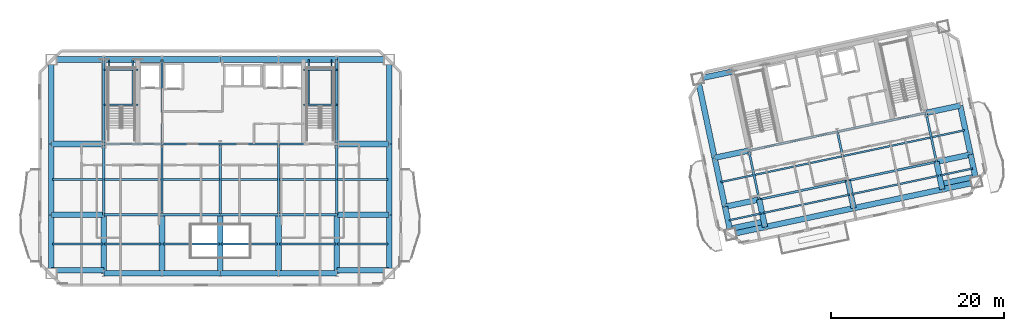
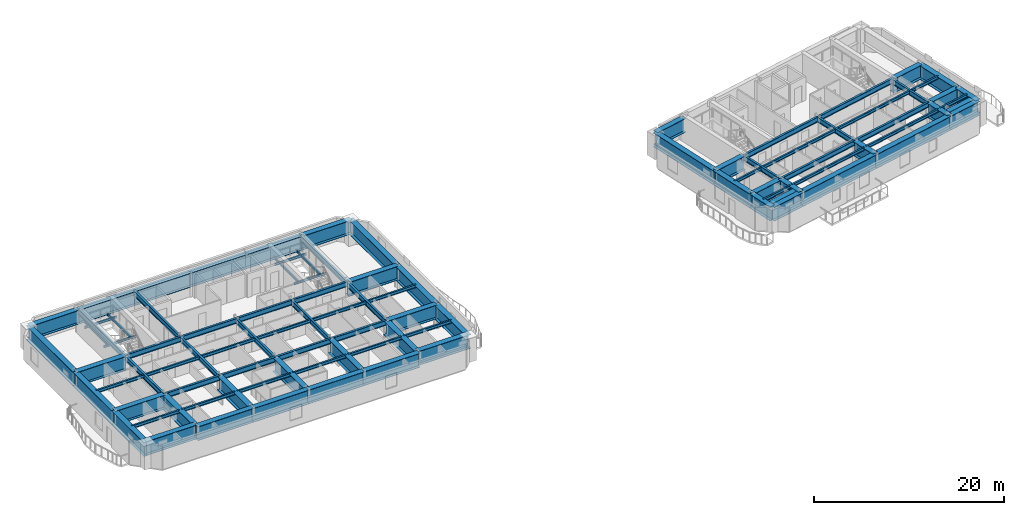
# One storey, part 3 of 16: 97 beams.
"""IFC4 building model written with IfcOpenShell, lengths in metres."""

from ifc_helpers import new_model, si_unit, direction, frame, origin, origin_2d, place, context, subcontext, project, spatial, i_section, extrude, material, material_profile, profile_set, type_object, element, save


model = new_model("IFC4")

# Units and contexts
model_context = context("Model", 3, precision=1e-05, world=origin(), true_north=direction((0.0, 1.0)))
body_context = subcontext(model_context, "Body", "Model", "MODEL_VIEW")
ifc_project = project(units=[si_unit("LENGTHUNIT", "METRE"), si_unit("AREAUNIT", "SQUARE_METRE"), si_unit("VOLUMEUNIT", "CUBIC_METRE"), si_unit("PLANEANGLEUNIT", "RADIAN"), si_unit("MASSUNIT", "GRAM", prefix="KILO")], contexts=[model_context])

# Site, building, storey
site_placement = place(None, origin())
site = spatial("IfcSite", under=ifc_project, at=site_placement, CompositionType="ELEMENT")
building_placement = place(site_placement, origin())
building = spatial("IfcBuilding", under=site, at=building_placement, Name="Haevon Station Towers", CompositionType="ELEMENT")
storey_placement = place(building_placement, frame((0.0, 0.0, 172.5)))
storey = spatial("IfcBuildingStorey", under=building, at=storey_placement, Name="L47", CompositionType="ELEMENT", Elevation=172.5)

# Beams
ifc_material_1 = material(Name="Steel S355", Category="steel")
ifc_material_profile_1 = material_profile(ifc_material_1, i_section(OverallWidth=0.25, OverallDepth=0.64990234375, WebThickness=0.012939453125, FlangeThickness=0.02197265625, at=origin_2d()), Name="H-650x250x13x22")
ifc_profile_set_1 = profile_set([ifc_material_profile_1], Name="Steel S355")
beam_type_1 = type_object("IfcBeamType", Name="BM-G650", PredefinedType="BEAM", material=ifc_profile_set_1)
for number, where, z_axis, x_axis, name in (
    (1, (24.0, 30.0, 2.72509765625), (1.0, 0.0, 0.0), (0.0, 1.0, 0.0), "BM-T1U-L47-02-02"),
    (2, (30.75, 30.0, 2.72509765625), (1.0, 0.0, 0.0), (0.0, 1.0, 0.0), "BM-T1U-L47-02-03"),
    (3, (37.5, 30.0, 2.72509765625), (1.0, 0.0, 0.0), (0.0, 1.0, 0.0), "BM-T1U-L47-02-04"),
    (4, (44.25, 30.0, 2.72509765625), (1.0, 0.0, 0.0), (0.0, 1.0, 0.0), "BM-T1U-L47-02-05"),
    (5, (24.0, 38.199951171875, 2.72509765625), (1.0, 0.0, 0.0), (0.0, 1.0, 0.0), "BM-T1U-L47-03-02"),
    (6, (30.75, 38.199951171875, 2.72509765625), (1.0, 0.0, 0.0), (0.0, 1.0, 0.0), "BM-T1U-L47-03-03"),
    (7, (37.5, 38.199951171875, 2.72509765625), (1.0, 0.0, 0.0), (0.0, 1.0, 0.0), "BM-T1U-L47-03-04"),
    (8, (44.25, 38.199951171875, 2.72509765625), (1.0, 0.0, 0.0), (0.0, 1.0, 0.0), "BM-T1U-L47-03-05"),
):
    element("IfcBeam", number, at=place(storey_placement, frame(where, z_axis=z_axis, x_axis=x_axis)), inside=storey, type_object=beam_type_1, Name=name, PredefinedType="BEAM", context=body_context, shape_type="SweptSolid", body=[
        extrude(i_section(OverallWidth=0.25, OverallDepth=0.64990234375, WebThickness=0.012939453125, FlangeThickness=0.02197265625, at=origin_2d()), origin(), (0.0, 0.0, 1.0), 6.75),
    ])
beam_1_placement = place(storey_placement, frame((24.0, 30.0, 2.72509765625), z_axis=(0.0, 1.0, 0.0), x_axis=(-1.0, 0.0, 0.0)))
element("IfcBeam", 9, at=beam_1_placement, inside=storey, type_object=beam_type_1, Name="BM-T1V-L47-02-02", PredefinedType="BEAM", context=body_context, shape_type="SweptSolid", body=[
    extrude(i_section(OverallWidth=0.25, OverallDepth=0.64990234375, WebThickness=0.012939453125, FlangeThickness=0.02197265625, at=origin_2d()), origin(), (0.0, 0.0, 1.0), 8.199951171875),
])
beam_2_placement = place(storey_placement, frame((24.0, 38.199951171875, 2.72509765625), z_axis=(0.0, 1.0, 0.0), x_axis=(-1.0, 0.0, 0.0)))
element("IfcBeam", 10, at=beam_2_placement, inside=storey, type_object=beam_type_1, Name="BM-T1V-L47-02-03", PredefinedType="BEAM", context=body_context, shape_type="SweptSolid", body=[
    extrude(i_section(OverallWidth=0.25, OverallDepth=0.64990234375, WebThickness=0.012939453125, FlangeThickness=0.02197265625, at=origin_2d()), origin(), (0.0, 0.0, 1.0), 9.800048828125),
])
beam_3_placement = place(storey_placement, frame((30.75, 30.0, 2.72509765625), z_axis=(0.0, 1.0, 0.0), x_axis=(-1.0, 0.0, 0.0)))
element("IfcBeam", 11, at=beam_3_placement, inside=storey, type_object=beam_type_1, Name="BM-T1V-L47-03-02", PredefinedType="BEAM", context=body_context, shape_type="SweptSolid", body=[
    extrude(i_section(OverallWidth=0.25, OverallDepth=0.64990234375, WebThickness=0.012939453125, FlangeThickness=0.02197265625, at=origin_2d()), origin(), (0.0, 0.0, 1.0), 8.199951171875),
])
beam_4_placement = place(storey_placement, frame((30.75, 38.199951171875, 2.72509765625), z_axis=(0.0, 1.0, 0.0), x_axis=(-1.0, 0.0, 0.0)))
element("IfcBeam", 12, at=beam_4_placement, inside=storey, type_object=beam_type_1, Name="BM-T1V-L47-03-03", PredefinedType="BEAM", context=body_context, shape_type="SweptSolid", body=[
    extrude(i_section(OverallWidth=0.25, OverallDepth=0.64990234375, WebThickness=0.012939453125, FlangeThickness=0.02197265625, at=origin_2d()), origin(), (0.0, 0.0, 1.0), 9.800048828125),
])
for number, where, z_axis, x_axis, name in (
    (13, (37.5, 30.0, 2.72509765625), (0.0, 1.0, 0.0), (-1.0, 0.0, 0.0), "BM-T1V-L47-04-02"),
    (14, (44.25, 30.0, 2.72509765625), (0.0, 1.0, 0.0), (-1.0, 0.0, 0.0), "BM-T1V-L47-05-02"),
    (15, (51.0, 30.0, 2.72509765625), (0.0, 1.0, 0.0), (-1.0, 0.0, 0.0), "BM-T1V-L47-06-02"),
):
    element("IfcBeam", number, at=place(storey_placement, frame(where, z_axis=z_axis, x_axis=x_axis)), inside=storey, type_object=beam_type_1, Name=name, PredefinedType="BEAM", context=body_context, shape_type="SweptSolid", body=[
        extrude(i_section(OverallWidth=0.25, OverallDepth=0.64990234375, WebThickness=0.012939453125, FlangeThickness=0.02197265625, at=origin_2d()), origin(), (0.0, 0.0, 1.0), 8.199951171875),
    ])
beam_5_placement = place(storey_placement, frame((51.0, 38.199951171875, 2.72509765625), z_axis=(0.0, 1.0, 0.0), x_axis=(-1.0, 0.0, 0.0)))
element("IfcBeam", 16, at=beam_5_placement, inside=storey, type_object=beam_type_1, Name="BM-T1V-L47-06-03", PredefinedType="BEAM", context=body_context, shape_type="SweptSolid", body=[
    extrude(i_section(OverallWidth=0.25, OverallDepth=0.64990234375, WebThickness=0.012939453125, FlangeThickness=0.02197265625, at=origin_2d()), origin(), (0.0, 0.0, 1.0), 9.800048828125),
])
for number, where, z_axis, x_axis, name in (
    (17, (99.958251953125, 31.76904296875, 2.72509765625), (0.978146794194, 0.207915485254, 0.0), (-0.207915485254, 0.978146794194, 0.0), "BM-T2U-L47-02-02"),
    (18, (110.228759765625, 33.9521484375, 2.72509765625), (0.978146794194, 0.207915485254, 0.0), (-0.207915485254, 0.978146794194, 0.0), "BM-T2U-L47-02-03"),
    (19, (98.75244140625, 37.4423828125, 2.72509765625), (0.978146794194, 0.207915485254, 0.0), (-0.207915485254, 0.978146794194, 0.0), "BM-T2U-L47-03-02"),
    (20, (109.02294921875, 39.62548828125, 2.72509765625), (0.978146794194, 0.207915485254, 0.0), (-0.207915485254, 0.978146794194, 0.0), "BM-T2U-L47-03-03"),
):
    element("IfcBeam", number, at=place(storey_placement, frame(where, z_axis=z_axis, x_axis=x_axis)), inside=storey, type_object=beam_type_1, Name=name, PredefinedType="BEAM", context=body_context, shape_type="SweptSolid", body=[
        extrude(i_section(OverallWidth=0.25, OverallDepth=0.64990234375, WebThickness=0.012939453125, FlangeThickness=0.02197265625, at=origin_2d()), origin(), (0.0, 0.0, 1.0), 10.5),
    ])
for number, where, z_axis, x_axis, name in (
    (21, (99.958251953125, 31.76904296875, 2.72509765625), (-0.207896009217, 0.97815093383, 0.0), (-0.97815093383, -0.207896009217, 0.0), "BM-T2V-L47-02-02"),
    (22, (110.228759765625, 33.9521484375, 2.72509765625), (-0.207896009217, 0.97815093383, 0.0), (-0.97815093383, -0.207896009217, 0.0), "BM-T2V-L47-03-02"),
    (23, (120.499267578125, 36.13525390625, 2.72509765625), (-0.207896009217, 0.97815093383, 0.0), (-0.97815093383, -0.207896009217, 0.0), "BM-T2V-L47-04-02"),
):
    element("IfcBeam", number, at=place(storey_placement, frame(where, z_axis=z_axis, x_axis=x_axis)), inside=storey, type_object=beam_type_1, Name=name, PredefinedType="BEAM", context=body_context, shape_type="SweptSolid", body=[
        extrude(i_section(OverallWidth=0.25, OverallDepth=0.64990234375, WebThickness=0.012939453125, FlangeThickness=0.02197265625, at=origin_2d()), origin(), (0.0, 0.0, 1.0), 5.800048828125),
    ])
ifc_material_profile_2 = material_profile(ifc_material_1, i_section(OverallWidth=0.199951171875, OverallDepth=0.39990234375, WebThickness=0.008056640625, FlangeThickness=0.012939453125, at=origin_2d()), Name="H-400x200x8x13")
ifc_profile_set_2 = profile_set([ifc_material_profile_2], Name="Steel S355")
beam_type_2 = type_object("IfcBeamType", Name="BM-J400", PredefinedType="JOIST", material=ifc_profile_set_2)
beam_6_placement = place(storey_placement, frame((18.034912109375, 26.60009765625, 2.85009765625), z_axis=(1.0, 0.0, 0.0), x_axis=(0.0, 1.0, 0.0)))
element("IfcBeam", 24, at=beam_6_placement, inside=storey, type_object=beam_type_2, Name="BM-T1J-L47-01-01", PredefinedType="JOIST", context=body_context, shape_type="SweptSolid", body=[
    extrude(i_section(OverallWidth=0.199951171875, OverallDepth=0.39990234375, WebThickness=0.008056640625, FlangeThickness=0.012939453125, at=origin_2d()), origin(), (0.0, 0.0, 1.0), 5.85498046875),
])
for number, where, z_axis, x_axis, name in (
    (25, (24.110107421875, 26.60009765625, 2.85009765625), (1.0, 0.0, 0.0), (0.0, 1.0, 0.0), "BM-T1J-L47-01-02"),
    (26, (30.860107421875, 26.60009765625, 2.85009765625), (1.0, 0.0, 0.0), (0.0, 1.0, 0.0), "BM-T1J-L47-01-03"),
    (27, (37.610107421875, 26.60009765625, 2.85009765625), (1.0, 0.0, 0.0), (0.0, 1.0, 0.0), "BM-T1J-L47-01-04"),
    (28, (44.360107421875, 26.60009765625, 2.85009765625), (1.0, 0.0, 0.0), (0.0, 1.0, 0.0), "BM-T1J-L47-01-05"),
):
    element("IfcBeam", number, at=place(storey_placement, frame(where, z_axis=z_axis, x_axis=x_axis)), inside=storey, type_object=beam_type_2, Name=name, PredefinedType="JOIST", context=body_context, shape_type="SweptSolid", body=[
        extrude(i_section(OverallWidth=0.199951171875, OverallDepth=0.39990234375, WebThickness=0.008056640625, FlangeThickness=0.012939453125, at=origin_2d()), origin(), (0.0, 0.0, 1.0), 6.52978515625),
    ])
for number, where, z_axis, x_axis, name in (
    (29, (51.110107421875, 26.60009765625, 2.85009765625), (1.0, 0.0, 0.0), (0.0, 1.0, 0.0), "BM-T1J-L47-01-06"),
    (30, (18.034912109375, 34.10009765625, 2.85009765625), (1.0, 0.0, 0.0), (0.0, 1.0, 0.0), "BM-T1J-L47-02-01"),
):
    element("IfcBeam", number, at=place(storey_placement, frame(where, z_axis=z_axis, x_axis=x_axis)), inside=storey, type_object=beam_type_2, Name=name, PredefinedType="JOIST", context=body_context, shape_type="SweptSolid", body=[
        extrude(i_section(OverallWidth=0.199951171875, OverallDepth=0.39990234375, WebThickness=0.008056640625, FlangeThickness=0.012939453125, at=origin_2d()), origin(), (0.0, 0.0, 1.0), 5.85498046875),
    ])
for number, where, z_axis, x_axis, name in (
    (31, (24.110107421875, 34.10009765625, 2.85009765625), (1.0, 0.0, 0.0), (0.0, 1.0, 0.0), "BM-T1J-L47-02-02"),
    (32, (30.860107421875, 34.10009765625, 2.85009765625), (1.0, 0.0, 0.0), (0.0, 1.0, 0.0), "BM-T1J-L47-02-03"),
    (33, (37.610107421875, 34.10009765625, 2.85009765625), (1.0, 0.0, 0.0), (0.0, 1.0, 0.0), "BM-T1J-L47-02-04"),
    (34, (44.360107421875, 34.10009765625, 2.85009765625), (1.0, 0.0, 0.0), (0.0, 1.0, 0.0), "BM-T1J-L47-02-05"),
):
    element("IfcBeam", number, at=place(storey_placement, frame(where, z_axis=z_axis, x_axis=x_axis)), inside=storey, type_object=beam_type_2, Name=name, PredefinedType="JOIST", context=body_context, shape_type="SweptSolid", body=[
        extrude(i_section(OverallWidth=0.199951171875, OverallDepth=0.39990234375, WebThickness=0.008056640625, FlangeThickness=0.012939453125, at=origin_2d()), origin(), (0.0, 0.0, 1.0), 6.52978515625),
    ])
beam_7_placement = place(storey_placement, frame((51.110107421875, 34.10009765625, 2.85009765625), z_axis=(1.0, 0.0, 0.0), x_axis=(0.0, 1.0, 0.0)))
element("IfcBeam", 35, at=beam_7_placement, inside=storey, type_object=beam_type_2, Name="BM-T1J-L47-02-06", PredefinedType="JOIST", context=body_context, shape_type="SweptSolid", body=[
    extrude(i_section(OverallWidth=0.199951171875, OverallDepth=0.39990234375, WebThickness=0.008056640625, FlangeThickness=0.012939453125, at=origin_2d()), origin(), (0.0, 0.0, 1.0), 5.85498046875),
])
beam_8_placement = place(storey_placement, frame((96.443115234375, 29.355712890625, 2.85009765625), z_axis=(0.978156420772, 0.207870191472, 0.0), x_axis=(-0.207870191472, 0.978156420772, 0.0)))
element("IfcBeam", 36, at=beam_8_placement, inside=storey, type_object=beam_type_2, Name="BM-T2J-L47-01-01", PredefinedType="JOIST", context=body_context, shape_type="SweptSolid", body=[
    extrude(i_section(OverallWidth=0.199951171875, OverallDepth=0.39990234375, WebThickness=0.008056640625, FlangeThickness=0.012939453125, at=origin_2d()), origin(), (0.0, 0.0, 1.0), 3.830078125),
])
for number, where, z_axis, x_axis, name in (
    (37, (100.40478515625, 30.19775390625, 2.85009765625), (0.978150339653, 0.207898804801, 0.0), (-0.207898804801, 0.978150339653, 0.0), "BM-T2J-L47-01-02"),
    (38, (110.67529296875, 32.380615234375, 2.85009765625), (0.978145509903, 0.207921527161, 0.0), (-0.207921527161, 0.978145509903, 0.0), "BM-T2J-L47-01-03"),
):
    element("IfcBeam", number, at=place(storey_placement, frame(where, z_axis=z_axis, x_axis=x_axis)), inside=storey, type_object=beam_type_2, Name=name, PredefinedType="JOIST", context=body_context, shape_type="SweptSolid", body=[
        extrude(i_section(OverallWidth=0.199951171875, OverallDepth=0.39990234375, WebThickness=0.008056640625, FlangeThickness=0.012939453125, at=origin_2d()), origin(), (0.0, 0.0, 1.0), 10.280029296875),
    ])
for number, where, z_axis, x_axis, name in (
    (39, (120.94580078125, 34.563720703125, 2.85009765625), (0.97814345794, 0.207931180176, 0.0), (-0.207931180176, 0.97814345794, 0.0), "BM-T2J-L47-01-04"),
    (40, (95.50146484375, 33.78662109375, 2.85009765625), (0.97814345794, 0.207931180176, 0.0), (-0.207931180176, 0.97814345794, 0.0), "BM-T2J-L47-02-01"),
):
    element("IfcBeam", number, at=place(storey_placement, frame(where, z_axis=z_axis, x_axis=x_axis)), inside=storey, type_object=beam_type_2, Name=name, PredefinedType="JOIST", context=body_context, shape_type="SweptSolid", body=[
        extrude(i_section(OverallWidth=0.199951171875, OverallDepth=0.39990234375, WebThickness=0.008056640625, FlangeThickness=0.012939453125, at=origin_2d()), origin(), (0.0, 0.0, 1.0), 3.830078125),
    ])
for number, where, z_axis, x_axis, name in (
    (41, (99.462890625, 34.628662109375, 2.85009765625), (0.978150339653, 0.207898804801, 0.0), (-0.207898804801, 0.978150339653, 0.0), "BM-T2J-L47-02-02"),
    (42, (109.7333984375, 36.811767578125, 2.85009765625), (0.978150339653, 0.207898804801, 0.0), (-0.207898804801, 0.978150339653, 0.0), "BM-T2J-L47-02-03"),
):
    element("IfcBeam", number, at=place(storey_placement, frame(where, z_axis=z_axis, x_axis=x_axis)), inside=storey, type_object=beam_type_2, Name=name, PredefinedType="JOIST", context=body_context, shape_type="SweptSolid", body=[
        extrude(i_section(OverallWidth=0.199951171875, OverallDepth=0.39990234375, WebThickness=0.008056640625, FlangeThickness=0.012939453125, at=origin_2d()), origin(), (0.0, 0.0, 1.0), 10.280029296875),
    ])
beam_9_placement = place(storey_placement, frame((120.00390625, 38.994873046875, 2.85009765625), z_axis=(0.978156420772, 0.207870191472, 0.0), x_axis=(-0.207870191472, 0.978156420772, 0.0)))
element("IfcBeam", 43, at=beam_9_placement, inside=storey, type_object=beam_type_2, Name="BM-T2J-L47-02-04", PredefinedType="JOIST", context=body_context, shape_type="SweptSolid", body=[
    extrude(i_section(OverallWidth=0.199951171875, OverallDepth=0.39990234375, WebThickness=0.008056640625, FlangeThickness=0.012939453125, at=origin_2d()), origin(), (0.0, 0.0, 1.0), 3.830078125),
])
ifc_material_profile_3 = material_profile(ifc_material_1, i_section(OverallWidth=0.14990234375, OverallDepth=0.300048828125, WebThickness=0.006591796875, FlangeThickness=0.009033203125, at=origin_2d()), Name="H-300x150x6.5x9")
ifc_profile_set_3 = profile_set([ifc_material_profile_3], Name="Steel S355")
beam_type_3 = type_object("IfcBeamType", Name="BM-LIN300", PredefinedType="LINTEL", material=ifc_profile_set_3)
for number, where, z_axis, x_axis, name in (
    (44, (24.0, 42.743896484375, 1.300048828125), (1.0, 0.0, 0.0), (0.0, 1.0, 0.0), "BM-ST1L-L47-1-S"),
    (45, (24.0, 46.820068359375, 1.300048828125), (1.0, 0.0, 0.0), (0.0, 1.0, 0.0), "BM-ST1L-L47-1-N"),
):
    element("IfcBeam", number, at=place(storey_placement, frame(where, z_axis=z_axis, x_axis=x_axis)), inside=storey, type_object=beam_type_3, Name=name, PredefinedType="LINTEL", context=body_context, shape_type="SweptSolid", body=[
        extrude(i_section(OverallWidth=0.14990234375, OverallDepth=0.300048828125, WebThickness=0.006591796875, FlangeThickness=0.009033203125, at=origin_2d()), origin(), (0.0, 0.0, 1.0), 3.949951171875),
    ])
for number, where, z_axis, x_axis, name in (
    (46, (24.60009765625, 42.743896484375, 1.300048828125), (0.0, 1.0, 0.0), (-1.0, 0.0, 0.0), "BM-ST1L-L47-1-W"),
    (47, (27.35009765625, 42.743896484375, 1.300048828125), (0.0, 1.0, 0.0), (-1.0, 0.0, 0.0), "BM-ST1L-L47-1-E"),
):
    element("IfcBeam", number, at=place(storey_placement, frame(where, z_axis=z_axis, x_axis=x_axis)), inside=storey, type_object=beam_type_3, Name=name, PredefinedType="LINTEL", context=body_context, shape_type="SweptSolid", body=[
        extrude(i_section(OverallWidth=0.14990234375, OverallDepth=0.300048828125, WebThickness=0.006591796875, FlangeThickness=0.009033203125, at=origin_2d()), origin(), (0.0, 0.0, 1.0), 5.256103515625),
    ])
for number, where, z_axis, x_axis, name in (
    (48, (47.14990234375, 42.743896484375, 1.300048828125), (1.0, 0.0, 0.0), (0.0, 1.0, 0.0), "BM-ST2L-L47-1-S"),
    (49, (47.14990234375, 46.820068359375, 1.300048828125), (1.0, 0.0, 0.0), (0.0, 1.0, 0.0), "BM-ST2L-L47-1-N"),
):
    element("IfcBeam", number, at=place(storey_placement, frame(where, z_axis=z_axis, x_axis=x_axis)), inside=storey, type_object=beam_type_3, Name=name, PredefinedType="LINTEL", context=body_context, shape_type="SweptSolid", body=[
        extrude(i_section(OverallWidth=0.14990234375, OverallDepth=0.300048828125, WebThickness=0.006591796875, FlangeThickness=0.009033203125, at=origin_2d()), origin(), (0.0, 0.0, 1.0), 3.85009765625),
    ])
for number, where, z_axis, x_axis, name in (
    (50, (47.75, 42.743896484375, 1.300048828125), (0.0, 1.0, 0.0), (-1.0, 0.0, 0.0), "BM-ST2L-L47-1-W"),
    (51, (50.39990234375, 42.743896484375, 1.300048828125), (0.0, 1.0, 0.0), (-1.0, 0.0, 0.0), "BM-ST2L-L47-1-E"),
):
    element("IfcBeam", number, at=place(storey_placement, frame(where, z_axis=z_axis, x_axis=x_axis)), inside=storey, type_object=beam_type_3, Name=name, PredefinedType="LINTEL", context=body_context, shape_type="SweptSolid", body=[
        extrude(i_section(OverallWidth=0.14990234375, OverallDepth=0.300048828125, WebThickness=0.006591796875, FlangeThickness=0.009033203125, at=origin_2d()), origin(), (0.0, 0.0, 1.0), 5.256103515625),
    ])
ifc_material_2 = material(Name="Steel S460", Category="steel")
ifc_material_profile_4 = material_profile(ifc_material_2, i_section(OverallWidth=0.64990234375, OverallDepth=1.800048828125, WebThickness=0.02490234375, FlangeThickness=0.0400390625, at=origin_2d()), Name="H-1800x650x25x40")
ifc_profile_set_4 = profile_set([ifc_material_profile_4], Name="Steel S460")
beam_type_4 = type_object("IfcBeamType", Name="BM-TG1800", PredefinedType="BEAM", material=ifc_profile_set_4)
for number, where, z_axis, x_axis, name in (
    (52, (24.0, 23.199951171875, 2.14990234375), (1.0, 0.0, 0.0), (0.0, 1.0, 0.0), "BM-T1U-L47-01-02"),
    (53, (30.75, 23.199951171875, 2.14990234375), (1.0, 0.0, 0.0), (0.0, 1.0, 0.0), "BM-T1U-L47-01-03"),
    (54, (37.5, 23.199951171875, 2.14990234375), (1.0, 0.0, 0.0), (0.0, 1.0, 0.0), "BM-T1U-L47-01-04"),
    (55, (44.25, 23.199951171875, 2.14990234375), (1.0, 0.0, 0.0), (0.0, 1.0, 0.0), "BM-T1U-L47-01-05"),
):
    element("IfcBeam", number, at=place(storey_placement, frame(where, z_axis=z_axis, x_axis=x_axis)), inside=storey, type_object=beam_type_4, Name=name, PredefinedType="BEAM", context=body_context, shape_type="SweptSolid", body=[
        extrude(i_section(OverallWidth=0.64990234375, OverallDepth=1.800048828125, WebThickness=0.02490234375, FlangeThickness=0.0400390625, at=origin_2d()), origin(), (0.0, 0.0, 1.0), 6.75),
    ])
for number, where, z_axis, x_axis, name in (
    (56, (17.925048828125, 30.0, 2.14990234375), (1.0, 0.0, 0.0), (0.0, 1.0, 0.0), "BM-T1U-L47-02-01"),
    (57, (51.0, 30.0, 2.14990234375), (1.0, 0.0, 0.0), (0.0, 1.0, 0.0), "BM-T1U-L47-02-06"),
    (58, (17.925048828125, 38.199951171875, 2.14990234375), (1.0, 0.0, 0.0), (0.0, 1.0, 0.0), "BM-T1U-L47-03-01"),
    (59, (51.0, 38.199951171875, 2.14990234375), (1.0, 0.0, 0.0), (0.0, 1.0, 0.0), "BM-T1U-L47-03-06"),
    (60, (17.925048828125, 48.0, 2.14990234375), (1.0, 0.0, 0.0), (0.0, 1.0, 0.0), "BM-T1U-L47-04-01"),
):
    element("IfcBeam", number, at=place(storey_placement, frame(where, z_axis=z_axis, x_axis=x_axis)), inside=storey, type_object=beam_type_4, Name=name, PredefinedType="BEAM", context=body_context, shape_type="SweptSolid", body=[
        extrude(i_section(OverallWidth=0.64990234375, OverallDepth=1.800048828125, WebThickness=0.02490234375, FlangeThickness=0.0400390625, at=origin_2d()), origin(), (0.0, 0.0, 1.0), 6.074951171875),
    ])
for number, where, z_axis, x_axis, name in (
    (61, (24.0, 48.0, 2.14990234375), (1.0, 0.0, 0.0), (0.0, 1.0, 0.0), "BM-T1U-L47-04-02"),
    (62, (30.75, 48.0, 2.14990234375), (1.0, 0.0, 0.0), (0.0, 1.0, 0.0), "BM-T1U-L47-04-03"),
    (63, (37.5, 48.0, 2.14990234375), (1.0, 0.0, 0.0), (0.0, 1.0, 0.0), "BM-T1U-L47-04-04"),
    (64, (44.25, 48.0, 2.14990234375), (1.0, 0.0, 0.0), (0.0, 1.0, 0.0), "BM-T1U-L47-04-05"),
):
    element("IfcBeam", number, at=place(storey_placement, frame(where, z_axis=z_axis, x_axis=x_axis)), inside=storey, type_object=beam_type_4, Name=name, PredefinedType="BEAM", context=body_context, shape_type="SweptSolid", body=[
        extrude(i_section(OverallWidth=0.64990234375, OverallDepth=1.800048828125, WebThickness=0.02490234375, FlangeThickness=0.0400390625, at=origin_2d()), origin(), (0.0, 0.0, 1.0), 6.75),
    ])
beam_10_placement = place(storey_placement, frame((51.0, 48.0, 2.14990234375), z_axis=(1.0, 0.0, 0.0), x_axis=(0.0, 1.0, 0.0)))
element("IfcBeam", 65, at=beam_10_placement, inside=storey, type_object=beam_type_4, Name="BM-T1U-L47-04-06", PredefinedType="BEAM", context=body_context, shape_type="SweptSolid", body=[
    extrude(i_section(OverallWidth=0.64990234375, OverallDepth=1.800048828125, WebThickness=0.02490234375, FlangeThickness=0.0400390625, at=origin_2d()), origin(), (0.0, 0.0, 1.0), 6.074951171875),
])
beam_11_placement = place(storey_placement, frame((17.925048828125, 23.199951171875, 2.14990234375), z_axis=(0.0, 1.0, 0.0), x_axis=(-1.0, 0.0, 0.0)))
element("IfcBeam", 66, at=beam_11_placement, inside=storey, type_object=beam_type_4, Name="BM-T1V-L47-01-01", PredefinedType="BEAM", context=body_context, shape_type="SweptSolid", body=[
    extrude(i_section(OverallWidth=0.64990234375, OverallDepth=1.800048828125, WebThickness=0.02490234375, FlangeThickness=0.0400390625, at=origin_2d()), origin(), (0.0, 0.0, 1.0), 6.800048828125),
])
beam_12_placement = place(storey_placement, frame((17.925048828125, 30.0, 2.14990234375), z_axis=(0.0, 1.0, 0.0), x_axis=(-1.0, 0.0, 0.0)))
element("IfcBeam", 67, at=beam_12_placement, inside=storey, type_object=beam_type_4, Name="BM-T1V-L47-01-02", PredefinedType="BEAM", context=body_context, shape_type="SweptSolid", body=[
    extrude(i_section(OverallWidth=0.64990234375, OverallDepth=1.800048828125, WebThickness=0.02490234375, FlangeThickness=0.0400390625, at=origin_2d()), origin(), (0.0, 0.0, 1.0), 8.199951171875),
])
beam_13_placement = place(storey_placement, frame((17.925048828125, 38.199951171875, 2.14990234375), z_axis=(0.0, 1.0, 0.0), x_axis=(-1.0, 0.0, 0.0)))
element("IfcBeam", 68, at=beam_13_placement, inside=storey, type_object=beam_type_4, Name="BM-T1V-L47-01-03", PredefinedType="BEAM", context=body_context, shape_type="SweptSolid", body=[
    extrude(i_section(OverallWidth=0.64990234375, OverallDepth=1.800048828125, WebThickness=0.02490234375, FlangeThickness=0.0400390625, at=origin_2d()), origin(), (0.0, 0.0, 1.0), 9.800048828125),
])
for number, where, z_axis, x_axis, name in (
    (69, (24.0, 23.199951171875, 2.14990234375), (0.0, 1.0, 0.0), (-1.0, 0.0, 0.0), "BM-T1V-L47-02-01"),
    (70, (30.75, 23.199951171875, 2.14990234375), (0.0, 1.0, 0.0), (-1.0, 0.0, 0.0), "BM-T1V-L47-03-01"),
    (71, (37.5, 23.199951171875, 2.14990234375), (0.0, 1.0, 0.0), (-1.0, 0.0, 0.0), "BM-T1V-L47-04-01"),
    (72, (44.25, 23.199951171875, 2.14990234375), (0.0, 1.0, 0.0), (-1.0, 0.0, 0.0), "BM-T1V-L47-05-01"),
    (73, (51.0, 23.199951171875, 2.14990234375), (0.0, 1.0, 0.0), (-1.0, 0.0, 0.0), "BM-T1V-L47-06-01"),
    (74, (57.074951171875, 23.199951171875, 2.14990234375), (0.0, 1.0, 0.0), (-1.0, 0.0, 0.0), "BM-T1V-L47-07-01"),
):
    element("IfcBeam", number, at=place(storey_placement, frame(where, z_axis=z_axis, x_axis=x_axis)), inside=storey, type_object=beam_type_4, Name=name, PredefinedType="BEAM", context=body_context, shape_type="SweptSolid", body=[
        extrude(i_section(OverallWidth=0.64990234375, OverallDepth=1.800048828125, WebThickness=0.02490234375, FlangeThickness=0.0400390625, at=origin_2d()), origin(), (0.0, 0.0, 1.0), 6.800048828125),
    ])
beam_14_placement = place(storey_placement, frame((57.074951171875, 30.0, 2.14990234375), z_axis=(0.0, 1.0, 0.0), x_axis=(-1.0, 0.0, 0.0)))
element("IfcBeam", 75, at=beam_14_placement, inside=storey, type_object=beam_type_4, Name="BM-T1V-L47-07-02", PredefinedType="BEAM", context=body_context, shape_type="SweptSolid", body=[
    extrude(i_section(OverallWidth=0.64990234375, OverallDepth=1.800048828125, WebThickness=0.02490234375, FlangeThickness=0.0400390625, at=origin_2d()), origin(), (0.0, 0.0, 1.0), 8.199951171875),
])
beam_15_placement = place(storey_placement, frame((57.074951171875, 38.199951171875, 2.14990234375), z_axis=(0.0, 1.0, 0.0), x_axis=(-1.0, 0.0, 0.0)))
element("IfcBeam", 76, at=beam_15_placement, inside=storey, type_object=beam_type_4, Name="BM-T1V-L47-07-03", PredefinedType="BEAM", context=body_context, shape_type="SweptSolid", body=[
    extrude(i_section(OverallWidth=0.64990234375, OverallDepth=1.800048828125, WebThickness=0.02490234375, FlangeThickness=0.0400390625, at=origin_2d()), origin(), (0.0, 0.0, 1.0), 9.800048828125),
])
for number, where, z_axis, x_axis, name in (
    (77, (17.925048828125, 23.550048828125, 2.14990234375), (1.0, 0.0, 0.0), (0.0, 1.0, 0.0), "BM-T1CTRN-L47-1"),
    (78, (51.0, 23.550048828125, 2.14990234375), (1.0, 0.0, 0.0), (0.0, 1.0, 0.0), "BM-T1CTRN-L47-2"),
):
    element("IfcBeam", number, at=place(storey_placement, frame(where, z_axis=z_axis, x_axis=x_axis)), inside=storey, type_object=beam_type_4, Name=name, PredefinedType="BEAM", context=body_context, shape_type="SweptSolid", body=[
        extrude(i_section(OverallWidth=0.64990234375, OverallDepth=1.800048828125, WebThickness=0.02490234375, FlangeThickness=0.0400390625, at=origin_2d()), origin(), (0.0, 0.0, 1.0), 6.074951171875),
    ])
beam_16_placement = place(storey_placement, frame((96.674560546875, 27.73828125, 2.14990234375), z_axis=(0.978146899108, 0.207914991681, 0.0), x_axis=(-0.207914991681, 0.978146899108, 0.0)))
element("IfcBeam", 79, at=beam_16_placement, inside=storey, type_object=beam_type_4, Name="BM-T2U-L47-01-01", PredefinedType="BEAM", context=body_context, shape_type="SweptSolid", body=[
    extrude(i_section(OverallWidth=0.64990234375, OverallDepth=1.800048828125, WebThickness=0.02490234375, FlangeThickness=0.0400390625, at=origin_2d()), origin(), (0.0, 0.0, 1.0), 4.050048828125),
])
beam_17_placement = place(storey_placement, frame((100.635986328125, 28.580322265625, 2.14990234375), z_axis=(0.978146794194, 0.207915485254, 0.0), x_axis=(-0.207915485254, 0.978146794194, 0.0)))
element("IfcBeam", 80, at=beam_17_placement, inside=storey, type_object=beam_type_4, Name="BM-T2U-L47-01-02", PredefinedType="BEAM", context=body_context, shape_type="SweptSolid", body=[
    extrude(i_section(OverallWidth=0.64990234375, OverallDepth=1.800048828125, WebThickness=0.02490234375, FlangeThickness=0.0400390625, at=origin_2d()), origin(), (0.0, 0.0, 1.0), 10.5),
])
beam_18_placement = place(storey_placement, frame((110.906494140625, 30.763427734375, 2.14990234375), z_axis=(0.978147799298, 0.207910756646, 0.0), x_axis=(-0.207910756646, 0.978147799298, 0.0)))
element("IfcBeam", 81, at=beam_18_placement, inside=storey, type_object=beam_type_4, Name="BM-T2U-L47-01-03", PredefinedType="BEAM", context=body_context, shape_type="SweptSolid", body=[
    extrude(i_section(OverallWidth=0.64990234375, OverallDepth=1.800048828125, WebThickness=0.02490234375, FlangeThickness=0.0400390625, at=origin_2d()), origin(), (0.0, 0.0, 1.0), 10.500244140625),
])
for number, where, z_axis, x_axis, name in (
    (82, (121.17724609375, 32.946533203125, 2.14990234375), (0.978146899108, 0.207914991681, 0.0), (-0.207914991681, 0.978146899108, 0.0), "BM-T2U-L47-01-04"),
    (83, (95.996826171875, 30.927001953125, 2.14990234375), (0.978146899108, 0.207914991681, 0.0), (-0.207914991681, 0.978146899108, 0.0), "BM-T2U-L47-02-01"),
    (84, (120.499267578125, 36.13525390625, 2.14990234375), (0.978149504816, 0.207902732613, 0.0), (-0.207902732613, 0.978149504816, 0.0), "BM-T2U-L47-02-04"),
    (85, (94.790771484375, 36.600341796875, 2.14990234375), (0.978149504816, 0.207902732613, 0.0), (-0.207902732613, 0.978149504816, 0.0), "BM-T2U-L47-03-01"),
    (86, (119.29345703125, 41.80859375, 2.14990234375), (0.978146899108, 0.207914991681, 0.0), (-0.207914991681, 0.978146899108, 0.0), "BM-T2U-L47-03-04"),
    (87, (92.846923828125, 45.74609375, 2.14990234375), (0.978146899108, 0.207914991681, 0.0), (-0.207914991681, 0.978146899108, 0.0), "BM-T2U-L47-04-01"),
):
    element("IfcBeam", number, at=place(storey_placement, frame(where, z_axis=z_axis, x_axis=x_axis)), inside=storey, type_object=beam_type_4, Name=name, PredefinedType="BEAM", context=body_context, shape_type="SweptSolid", body=[
        extrude(i_section(OverallWidth=0.64990234375, OverallDepth=1.800048828125, WebThickness=0.02490234375, FlangeThickness=0.0400390625, at=origin_2d()), origin(), (0.0, 0.0, 1.0), 4.050048828125),
    ])
beam_19_placement = place(storey_placement, frame((96.674560546875, 27.73828125, 2.14990234375), z_axis=(-0.207897270364, 0.978150665785, 0.0), x_axis=(-0.978150665785, -0.207897270364, 0.0)))
element("IfcBeam", 88, at=beam_19_placement, inside=storey, type_object=beam_type_4, Name="BM-T2V-L47-01-01", PredefinedType="BEAM", context=body_context, shape_type="SweptSolid", body=[
    extrude(i_section(OverallWidth=0.64990234375, OverallDepth=1.800048828125, WebThickness=0.02490234375, FlangeThickness=0.0400390625, at=origin_2d()), origin(), (0.0, 0.0, 1.0), 3.260009765625),
])
beam_20_placement = place(storey_placement, frame((95.996826171875, 30.927001953125, 2.14990234375), z_axis=(-0.207936282142, 0.978142373363, 0.0), x_axis=(-0.978142373363, -0.207936282142, 0.0)))
element("IfcBeam", 89, at=beam_20_placement, inside=storey, type_object=beam_type_4, Name="BM-T2V-L47-01-02", PredefinedType="BEAM", context=body_context, shape_type="SweptSolid", body=[
    extrude(i_section(OverallWidth=0.64990234375, OverallDepth=1.800048828125, WebThickness=0.02490234375, FlangeThickness=0.0400390625, at=origin_2d()), origin(), (0.0, 0.0, 1.0), 5.800048828125),
])
beam_21_placement = place(storey_placement, frame((94.790771484375, 36.600341796875, 2.14990234375), z_axis=(-0.207897167074, 0.978150687738, 0.0), x_axis=(-0.978150687738, -0.207897167074, 0.0)))
element("IfcBeam", 90, at=beam_21_placement, inside=storey, type_object=beam_type_4, Name="BM-T2V-L47-01-03", PredefinedType="BEAM", context=body_context, shape_type="SweptSolid", body=[
    extrude(i_section(OverallWidth=0.64990234375, OverallDepth=1.800048828125, WebThickness=0.02490234375, FlangeThickness=0.0400390625, at=origin_2d()), origin(), (0.0, 0.0, 1.0), 9.35009765625),
])
for number, where, z_axis, x_axis, name in (
    (91, (100.635986328125, 28.580322265625, 2.14990234375), (-0.207897270364, 0.978150665785, 0.0), (-0.978150665785, -0.207897270364, 0.0), "BM-T2V-L47-02-01"),
    (92, (110.906494140625, 30.763427734375, 2.14990234375), (-0.207897270364, 0.978150665785, 0.0), (-0.978150665785, -0.207897270364, 0.0), "BM-T2V-L47-03-01"),
    (93, (121.17724609375, 32.946533203125, 2.14990234375), (-0.207968922755, 0.97813543396, 0.0), (-0.97813543396, -0.207968922755, 0.0), "BM-T2V-L47-04-01"),
    (94, (125.138671875, 33.78857421875, 2.14990234375), (-0.207897270364, 0.978150665785, 0.0), (-0.978150665785, -0.207897270364, 0.0), "BM-T2V-L47-05-01"),
):
    element("IfcBeam", number, at=place(storey_placement, frame(where, z_axis=z_axis, x_axis=x_axis)), inside=storey, type_object=beam_type_4, Name=name, PredefinedType="BEAM", context=body_context, shape_type="SweptSolid", body=[
        extrude(i_section(OverallWidth=0.64990234375, OverallDepth=1.800048828125, WebThickness=0.02490234375, FlangeThickness=0.0400390625, at=origin_2d()), origin(), (0.0, 0.0, 1.0), 3.260009765625),
    ])
beam_22_placement = place(storey_placement, frame((124.4609375, 36.977294921875, 2.14990234375), z_axis=(-0.207936282142, 0.978142373363, 0.0), x_axis=(-0.978142373363, -0.207936282142, 0.0)))
element("IfcBeam", 95, at=beam_22_placement, inside=storey, type_object=beam_type_4, Name="BM-T2V-L47-05-02", PredefinedType="BEAM", context=body_context, shape_type="SweptSolid", body=[
    extrude(i_section(OverallWidth=0.64990234375, OverallDepth=1.800048828125, WebThickness=0.02490234375, FlangeThickness=0.0400390625, at=origin_2d()), origin(), (0.0, 0.0, 1.0), 5.800048828125),
])
for number, where, z_axis, x_axis, name in (
    (96, (96.54150390625, 28.3642578125, 2.14990234375), (0.978146899108, 0.207914991681, 0.0), (-0.207914991681, 0.978146899108, 0.0), "BM-T2CTRN-L47-1"),
    (97, (121.0439453125, 33.572509765625, 2.14990234375), (0.978149504816, 0.207902732613, 0.0), (-0.207902732613, 0.978149504816, 0.0), "BM-T2CTRN-L47-2"),
):
    element("IfcBeam", number, at=place(storey_placement, frame(where, z_axis=z_axis, x_axis=x_axis)), inside=storey, type_object=beam_type_4, Name=name, PredefinedType="BEAM", context=body_context, shape_type="SweptSolid", body=[
        extrude(i_section(OverallWidth=0.64990234375, OverallDepth=1.800048828125, WebThickness=0.02490234375, FlangeThickness=0.0400390625, at=origin_2d()), origin(), (0.0, 0.0, 1.0), 4.050048828125),
    ])

save(model, "model.ifc")
